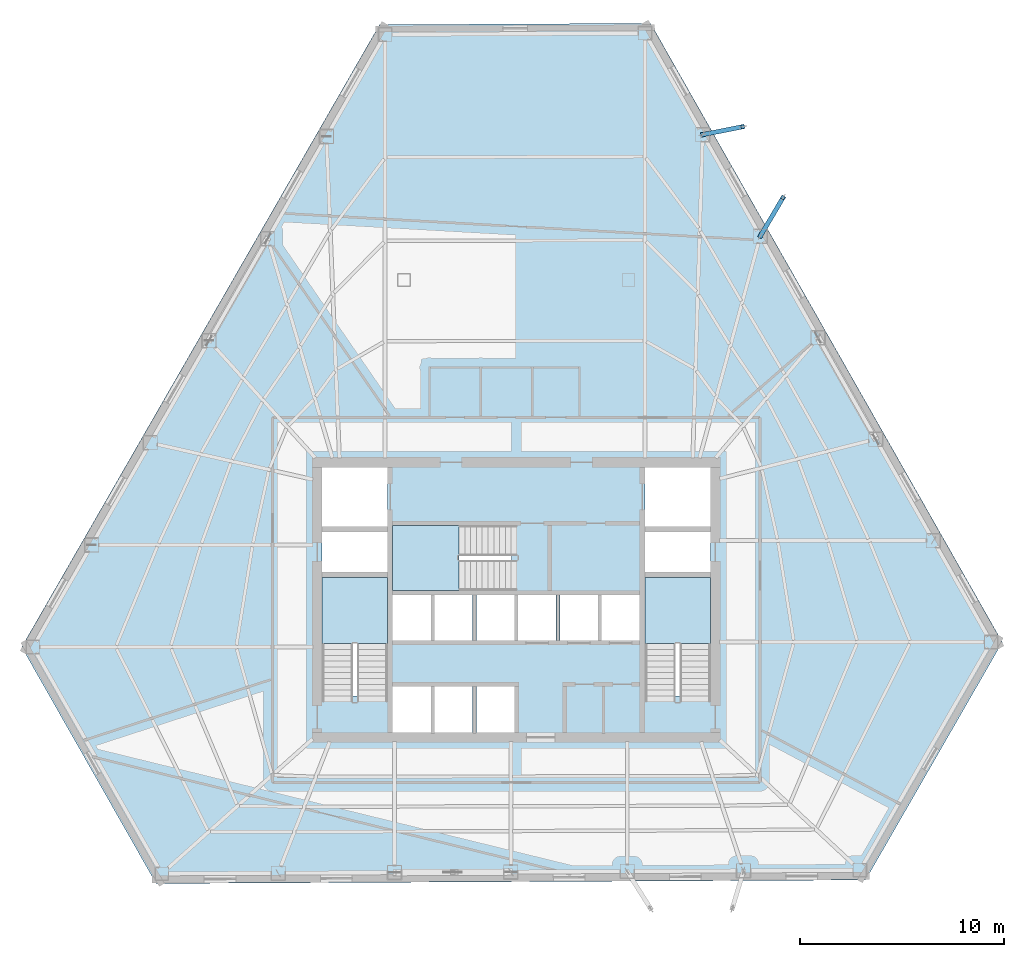
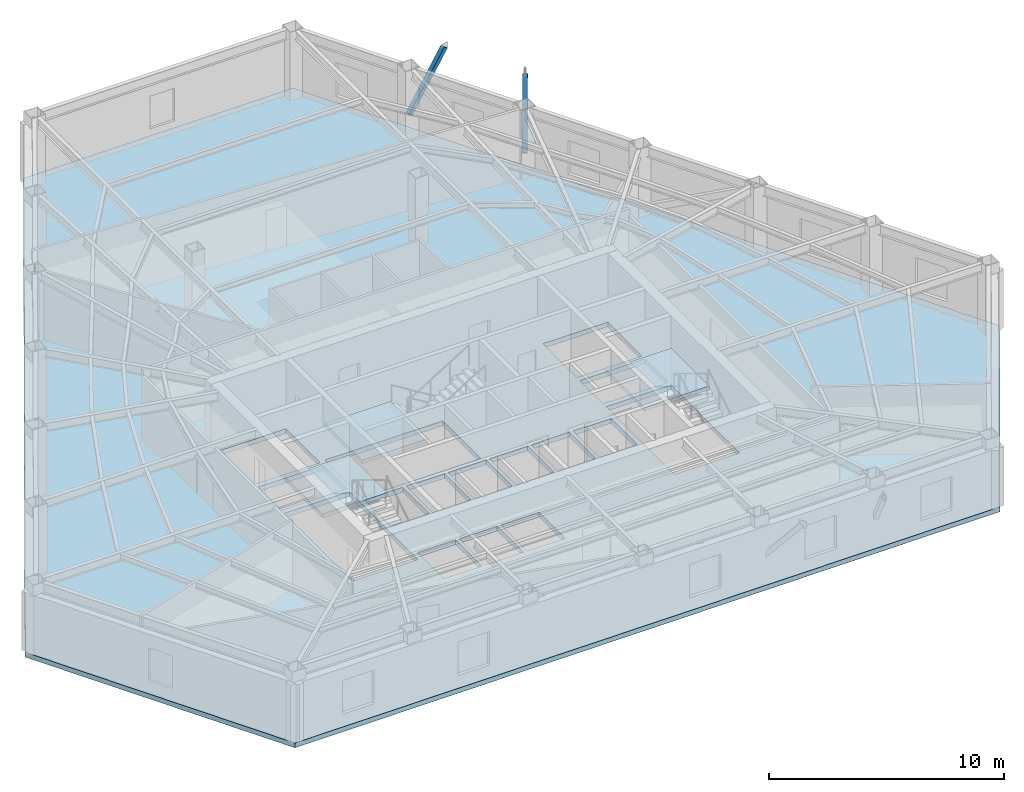
# One storey, part 3 of 13: 4 slabs, 2 members, 3 elements without a shape of their own.
"""IFC4 building model written with IfcOpenShell, lengths in metres."""

from ifc_helpers import new_model, si_unit, direction, frame, origin, origin_2d, place, context, subcontext, project, spatial, polyline, hollow_rectangle, outline, extrude, material, layer, layer_set, material_profile, profile_set, type_object, element, aggregate, save


model = new_model("IFC4")

# Units and contexts
model_context = context("Model", 3, precision=1e-05, world=origin(), true_north=direction((0.0, 1.0)))
body_context = subcontext(model_context, "Body", "Model", "MODEL_VIEW")
ifc_project = project(units=[si_unit("LENGTHUNIT", "METRE"), si_unit("AREAUNIT", "SQUARE_METRE"), si_unit("VOLUMEUNIT", "CUBIC_METRE"), si_unit("PLANEANGLEUNIT", "RADIAN"), si_unit("MASSUNIT", "GRAM", prefix="KILO")], contexts=[model_context])

# Site, building, storey
site_placement = place(None, origin())
site = spatial("IfcSite", under=ifc_project, at=site_placement, CompositionType="ELEMENT")
building_placement = place(site_placement, origin())
building = spatial("IfcBuilding", under=site, at=building_placement, Name="Kavelnor Concourse Tower", CompositionType="ELEMENT")
storey_placement = place(building_placement, frame((0.0, 0.0, 85.5)))
storey = spatial("IfcBuildingStorey", under=building, at=storey_placement, Name="L21", CompositionType="ELEMENT", Elevation=85.5)

# Members
ifc_material_1 = material(Name="Steel Grade 350", Category="steel")
ifc_material_profile = material_profile(ifc_material_1, hollow_rectangle(XDim=0.219970703125, YDim=0.219970703125, WallThickness=0.013916015625, at=origin_2d()), Name="SHS 220x220x14")
ifc_profile_set = profile_set([ifc_material_profile], Name="Steel Grade 350")
member_type = type_object("IfcMemberType", Name="MBR-BALC-STRUT-220", PredefinedType="STRUT", material=ifc_profile_set)
member_1_placement = place(storey_placement, frame((49.97705078125, 33.9462890625, 1.050048828125), z_axis=(0.327231735956, 0.555132944966, 0.764687389981), x_axis=(-0.86147069832, 0.507807282279, 0.0)))
element("IfcMember", 1, at=member_1_placement, inside=storey, type_object=member_type, Name="L21 Tree Balcony Raking Knee Strut 2-A", PredefinedType="STRUT", context=body_context, shape_type="SweptSolid", body=[
    extrude(hollow_rectangle(XDim=0.219970703125, YDim=0.219970703125, WallThickness=0.013916015625, at=origin_2d()), origin(), (0.0, 0.0, 1.0), 3.406494140625),
])
member_2_placement = place(storey_placement, frame((47.146728515625, 38.92626953125, 1.050048828125), z_axis=(0.598802266253, 0.118260849261, 0.792117552805), x_axis=(-0.193753178744, 0.981050307439, 0.0)))
element("IfcMember", 2, at=member_2_placement, inside=storey, type_object=member_type, Name="L21 Tree Balcony Raking Knee Strut 2-B", PredefinedType="STRUT", context=body_context, shape_type="SweptSolid", body=[
    extrude(hollow_rectangle(XDim=0.219970703125, YDim=0.219970703125, WallThickness=0.013916015625, at=origin_2d()), origin(), (0.0, 0.0, 1.0), 3.28857421875),
])

# Stair, slab
ifc_material_2 = material(Name="Concrete C40/50", Category="concrete")
stair_type = type_object("IfcStairType", Name="STR-CORE-1500", PredefinedType="HALF_TURN_STAIR", material=ifc_material_2)
stair_1_placement = place(storey_placement, origin())
stair_1 = element("IfcStair", 3, at=stair_1_placement, inside=storey, type_object=stair_type, Name="L21 ST1", PredefinedType="HALF_TURN_STAIR")
ifc_layer_1 = layer(ifc_material_2, 0.199951171875, Name="Concrete C40/50")
ifc_layer_set_1 = layer_set([ifc_layer_1], Name="Concrete C40/50")
slab_type_1 = type_object("IfcSlabType", Name="SLB-LANDING-200", PredefinedType="LANDING", material=ifc_layer_set_1)
slab_1_placement = place(storey_placement, frame((0.0, 0.0, 1.72509765625)))
slab_1 = element("IfcSlab", 4, at=slab_1_placement, type_object=slab_type_1, Name="ST1 landing 1", PredefinedType="LANDING", context=body_context, shape_type="SweptSolid", body=[
    extrude(outline(polyline([(31.679931640625, 13.949951171875), (31.679931640625, 17.199951171875), (28.47998046875, 17.199951171875), (28.47998046875, 13.949951171875), (31.679931640625, 13.949951171875)])), origin(), (0.0, 0.0, 1.0), 0.199951171875),
])
aggregate(stair_1, [slab_1])

stair_2_placement = place(storey_placement, origin())
stair_2 = element("IfcStair", 5, at=stair_2_placement, inside=storey, type_object=stair_type, Name="L21 ST2", PredefinedType="HALF_TURN_STAIR")
slab_2_placement = place(storey_placement, frame((0.0, 0.0, 1.72509765625)))
slab_2 = element("IfcSlab", 6, at=slab_2_placement, type_object=slab_type_1, Name="ST2 landing 1", PredefinedType="LANDING", context=body_context, shape_type="SweptSolid", body=[
    extrude(outline(polyline([(47.52001953125, 13.949951171875), (47.52001953125, 17.199951171875), (44.320068359375, 17.199951171875), (44.320068359375, 13.949951171875), (47.52001953125, 13.949951171875)])), origin(), (0.0, 0.0, 1.0), 0.199951171875),
])
aggregate(stair_2, [slab_2])

stair_3_placement = place(storey_placement, origin())
stair_3 = element("IfcStair", 7, at=stair_3_placement, inside=storey, type_object=stair_type, Name="L21 ST3", PredefinedType="HALF_TURN_STAIR")
slab_3_placement = place(storey_placement, frame((0.0, 0.0, 1.72509765625)))
slab_3 = element("IfcSlab", 8, at=slab_3_placement, type_object=slab_type_1, Name="ST3 landing 1", PredefinedType="LANDING", context=body_context, shape_type="SweptSolid", body=[
    extrude(outline(polyline([(35.18994140625, 19.760009765625), (31.93994140625, 19.760009765625), (31.93994140625, 16.56005859375), (35.18994140625, 16.56005859375), (35.18994140625, 19.760009765625)])), origin(), (0.0, 0.0, 1.0), 0.199951171875),
])
aggregate(stair_3, [slab_3])

# Slab
ifc_layer_2 = layer(ifc_material_2, 0.25, Name="Concrete C40/50")
ifc_layer_set_2 = layer_set([ifc_layer_2], Name="Concrete C40/50")
slab_type_2 = type_object("IfcSlabType", Name="SLB-OFFICE-250", PredefinedType="FLOOR", material=ifc_layer_set_2)
slab_4_placement = place(storey_placement, frame((0.0, 0.0, -0.25)))
element("IfcSlab", 9, at=slab_4_placement, inside=storey, type_object=slab_type_2, Name="L21 Composite Structural Floor Slab", PredefinedType="FLOOR", context=body_context, shape_type="SweptSolid", body=[
    extrude(outline(polyline([(44.59521484375, 44.38720703125), (31.2900390625, 44.321044921875), (13.734375, 13.78662109375), (20.329345703125, 2.1826171875), (55.140869140625, 2.355712890625), (61.8505859375, 14.026123046875), (44.59521484375, 44.38720703125)]), holes=[polyline([(28.47998046875, 11.3798828125), (31.679931640625, 11.3798828125), (31.679931640625, 17.199951171875), (28.47998046875, 17.199951171875), (28.47998046875, 11.3798828125)]), polyline([(44.320068359375, 11.3798828125), (47.52001953125, 11.3798828125), (47.52001953125, 17.199951171875), (44.320068359375, 17.199951171875), (44.320068359375, 11.3798828125)]), polyline([(31.93994140625, 16.56005859375), (37.760009765625, 16.56005859375), (37.760009765625, 19.760009765625), (31.93994140625, 19.760009765625), (31.93994140625, 16.56005859375)]), polyline([(28.47998046875, 19.699951171875), (31.679931640625, 19.699951171875), (31.679931640625, 22.60009765625), (28.47998046875, 22.60009765625), (28.47998046875, 19.699951171875)]), polyline([(44.320068359375, 19.699951171875), (47.52001953125, 19.699951171875), (47.52001953125, 22.60009765625), (44.320068359375, 22.60009765625), (44.320068359375, 19.699951171875)]), polyline([(31.93994140625, 14.10009765625), (33.81005859375, 14.10009765625), (33.81005859375, 16.340087890625), (31.93994140625, 16.340087890625), (31.93994140625, 14.10009765625)]), polyline([(33.989990234375, 14.10009765625), (35.860107421875, 14.10009765625), (35.860107421875, 16.340087890625), (33.989990234375, 16.340087890625), (33.989990234375, 14.10009765625)]), polyline([(36.0400390625, 14.10009765625), (37.909912109375, 14.10009765625), (37.909912109375, 16.340087890625), (36.0400390625, 16.340087890625), (36.0400390625, 14.10009765625)]), polyline([(38.090087890625, 14.10009765625), (39.9599609375, 14.10009765625), (39.9599609375, 16.340087890625), (38.090087890625, 16.340087890625), (38.090087890625, 14.10009765625)]), polyline([(40.139892578125, 14.10009765625), (42.010009765625, 14.10009765625), (42.010009765625, 16.340087890625), (40.139892578125, 16.340087890625), (40.139892578125, 14.10009765625)]), polyline([(42.18994140625, 14.10009765625), (44.06005859375, 14.10009765625), (44.06005859375, 16.340087890625), (42.18994140625, 16.340087890625), (42.18994140625, 14.10009765625)]), polyline([(31.93994140625, 9.60009765625), (33.81005859375, 9.60009765625), (33.81005859375, 11.840087890625), (31.93994140625, 11.840087890625), (31.93994140625, 9.60009765625)]), polyline([(33.989990234375, 9.60009765625), (35.860107421875, 9.60009765625), (35.860107421875, 11.840087890625), (33.989990234375, 11.840087890625), (33.989990234375, 9.60009765625)]), polyline([(36.0400390625, 9.60009765625), (37.909912109375, 9.60009765625), (37.909912109375, 11.840087890625), (36.0400390625, 11.840087890625), (36.0400390625, 9.60009765625)]), polyline([(28.47998046875, 17.4599609375), (31.679931640625, 17.4599609375), (31.679931640625, 19.43994140625), (28.47998046875, 19.43994140625), (28.47998046875, 17.4599609375)]), polyline([(44.320068359375, 17.4599609375), (47.52001953125, 17.4599609375), (47.52001953125, 19.43994140625), (44.320068359375, 19.43994140625), (44.320068359375, 17.4599609375)])]), origin(), (0.0, 0.0, 1.0), 0.25),
])

save(model, "model.ifc")
